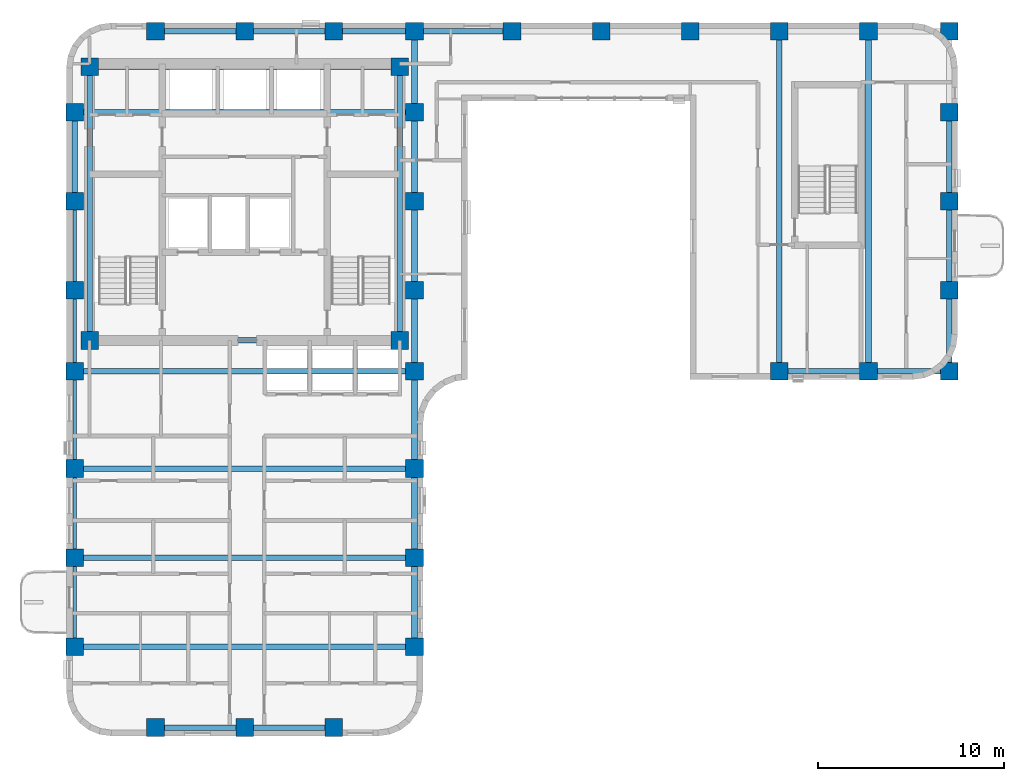
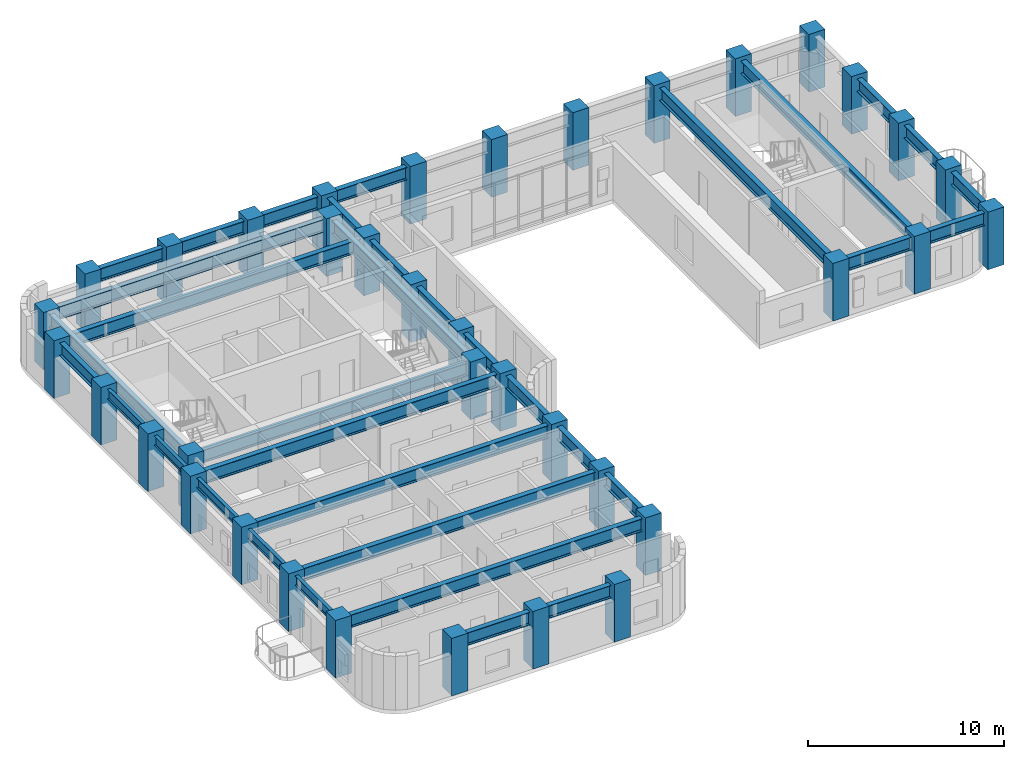
# One storey, part 1 of 11: 37 columns, 35 beams.
"""IFC4 building model written with IfcOpenShell, lengths in metres."""

from ifc_helpers import new_model, si_unit, direction, frame, origin, origin_2d, place, context, subcontext, project, spatial, rectangle, i_section, extrude, material, material_profile, profile_set, type_object, element, save


model = new_model("IFC4")

# Units and contexts
model_context = context("Model", 3, precision=1e-05, world=origin(), true_north=direction((0.0, 1.0)))
body_context = subcontext(model_context, "Body", "Model", "MODEL_VIEW")
ifc_project = project(units=[si_unit("LENGTHUNIT", "METRE"), si_unit("AREAUNIT", "SQUARE_METRE"), si_unit("VOLUMEUNIT", "CUBIC_METRE"), si_unit("PLANEANGLEUNIT", "RADIAN"), si_unit("MASSUNIT", "GRAM", prefix="KILO")], contexts=[model_context])

# Site, building, storey
site_placement = place(None, origin())
site = spatial("IfcSite", under=ifc_project, at=site_placement, CompositionType="ELEMENT")
building_placement = place(site_placement, origin())
building = spatial("IfcBuilding", under=site, at=building_placement, Name="Orvandelia Arch Residences", CompositionType="ELEMENT")
storey_placement = place(building_placement, frame((0.0, 0.0, 164.800048828125)))
storey = spatial("IfcBuildingStorey", under=building, at=storey_placement, Name="L43", CompositionType="ELEMENT", Elevation=164.800048828125)

# Columns
ifc_material_1 = material(Name="Concrete C60/75", Category="concrete")
ifc_material_profile_1 = material_profile(ifc_material_1, rectangle(XDim=0.949951171875, YDim=0.949951171875, at=origin_2d()), Name="Concrete C60/75", Category="concrete")
ifc_profile_set_1 = profile_set([ifc_material_profile_1], Name="Concrete C60/75")
column_type = type_object("IfcColumnType", Name="COL-TWR-950", PredefinedType="COLUMN", material=ifc_profile_set_1)
for number, where, z_axis, x_axis, name in (
    (1, (5.25, 14.39990234375, 0.0), (0.0, 0.0, 1.0), (1.0, 0.0, 0.0), "Structural Column L43-W-W-144"),
    (2, (5.25, 19.199951171875, 0.0), (0.0, 0.0, 1.0), (1.0, 0.0, 0.0), "Structural Column L43-W-W-192"),
    (3, (5.25, 24.0, 0.0), (0.0, 0.0, 1.0), (1.0, 0.0, 0.0), "Structural Column L43-W-W-240"),
    (4, (5.25, 29.25, 0.0), (0.0, 0.0, 1.0), (1.0, 0.0, 0.0), "Structural Column L43-W-W-292"),
    (5, (5.25, 33.60009765625, 0.0), (0.0, 0.0, 1.0), (1.0, 0.0, 0.0), "Structural Column L43-W-W-336"),
    (6, (5.25, 38.39990234375, 0.0), (0.0, 0.0, 1.0), (1.0, 0.0, 0.0), "Structural Column L43-W-W-384"),
    (7, (5.25, 43.199951171875, 0.0), (0.0, 0.0, 1.0), (1.0, 0.0, 0.0), "Structural Column L43-W-W-432"),
    (8, (6.050048828125, 30.89990234375, 0.0), (0.0, 0.0, 1.0), (1.0, 0.0, 0.0), "Structural Column L43-CR-SW"),
    (9, (6.050048828125, 45.64990234375, 0.0), (0.0, 0.0, 1.0), (1.0, 0.0, 0.0), "Structural Column L43-CR-NW"),
    (10, (9.60009765625, 10.050048828125, 0.0), (0.0, 0.0, 1.0), (1.0, 0.0, 0.0), "Structural Column L43-W-S-96"),
    (11, (9.60009765625, 47.550048828125, 0.0), (0.0, 0.0, 1.0), (1.0, 0.0, 0.0), "Structural Column L43-W-N-96"),
    (12, (14.39990234375, 10.050048828125, 0.0), (0.0, 0.0, 1.0), (1.0, 0.0, 0.0), "Structural Column L43-W-S-144"),
    (13, (14.39990234375, 47.550048828125, 0.0), (0.0, 0.0, 1.0), (1.0, 0.0, 0.0), "Structural Column L43-W-N-144"),
    (14, (19.199951171875, 10.050048828125, 0.0), (0.0, 0.0, 1.0), (1.0, 0.0, 0.0), "Structural Column L43-W-S-192"),
    (15, (19.199951171875, 47.550048828125, 0.0), (0.0, 0.0, 1.0), (1.0, 0.0, 0.0), "Structural Column L43-W-N-192"),
    (16, (22.75, 30.89990234375, 0.0), (0.0, 0.0, 1.0), (1.0, 0.0, 0.0), "Structural Column L43-CR-SE"),
    (17, (22.75, 45.64990234375, 0.0), (0.0, 0.0, 1.0), (1.0, 0.0, 0.0), "Structural Column L43-CR-NE"),
    (18, (23.550048828125, 14.39990234375, 0.0), (0.0, 0.0, 1.0), (1.0, 0.0, 0.0), "Structural Column L43-W-E-144"),
    (19, (23.550048828125, 19.199951171875, 0.0), (0.0, 0.0, 1.0), (1.0, 0.0, 0.0), "Structural Column L43-W-E-192"),
    (20, (23.550048828125, 24.0, 0.0), (0.0, 0.0, 1.0), (1.0, 0.0, 0.0), "Structural Column L43-W-E-240"),
    (21, (23.550048828125, 29.25, 0.0), (0.0, 0.0, 1.0), (1.0, 0.0, 0.0), "Structural Column L43-W-E-292"),
    (22, (23.550048828125, 33.60009765625, 0.0), (0.0, 0.0, 1.0), (1.0, 0.0, 0.0), "Structural Column L43-W-E-336"),
    (23, (23.550048828125, 38.39990234375, 0.0), (0.0, 0.0, 1.0), (1.0, 0.0, 0.0), "Structural Column L43-W-E-384"),
    (24, (23.550048828125, 43.199951171875, 0.0), (0.0, 0.0, 1.0), (1.0, 0.0, 0.0), "Structural Column L43-W-E-432"),
    (25, (23.550048828125, 47.550048828125, 0.0), (0.0, 0.0, 1.0), (1.0, 0.0, 0.0), "Structural Column L43-W-N-235"),
    (26, (28.800048828125, 47.550048828125, 0.0), (0.0, 0.0, 1.0), (1.0, 0.0, 0.0), "Structural Column L43-E-N-288"),
    (27, (33.60009765625, 47.550048828125, 0.0), (0.0, 0.0, 1.0), (1.0, 0.0, 0.0), "Structural Column L43-E-N-336"),
    (28, (38.39990234375, 47.550048828125, 0.0), (0.0, 0.0, 1.0), (1.0, 0.0, 0.0), "Structural Column L43-E-N-384"),
    (29, (43.199951171875, 29.25, 0.0), (0.0, 0.0, 1.0), (1.0, 0.0, 0.0), "Structural Column L43-E-S-432"),
    (30, (43.199951171875, 47.550048828125, 0.0), (0.0, 0.0, 1.0), (1.0, 0.0, 0.0), "Structural Column L43-E-N-432"),
    (31, (48.0, 29.25, 0.0), (0.0, 0.0, 1.0), (1.0, 0.0, 0.0), "Structural Column L43-E-S-480"),
    (32, (48.0, 47.550048828125, 0.0), (0.0, 0.0, 1.0), (1.0, 0.0, 0.0), "Structural Column L43-E-N-480"),
    (33, (52.35009765625, 29.25, 0.0), (0.0, 0.0, 1.0), (1.0, 0.0, 0.0), "Structural Column L43-E-S-523"),
    (34, (52.35009765625, 33.60009765625, 0.0), (0.0, 0.0, 1.0), (1.0, 0.0, 0.0), "Structural Column L43-E-523-336"),
    (35, (52.35009765625, 38.39990234375, 0.0), (0.0, 0.0, 1.0), (1.0, 0.0, 0.0), "Structural Column L43-E-523-384"),
    (36, (52.35009765625, 43.199951171875, 0.0), (0.0, 0.0, 1.0), (1.0, 0.0, 0.0), "Structural Column L43-E-523-432"),
    (37, (52.35009765625, 47.550048828125, 0.0), (0.0, 0.0, 1.0), (1.0, 0.0, 0.0), "Structural Column L43-E-N-523"),
):
    element("IfcColumn", number, at=place(storey_placement, frame(where, z_axis=z_axis, x_axis=x_axis)), inside=storey, type_object=column_type, Name=name, PredefinedType="COLUMN", context=body_context, shape_type="SweptSolid", body=[
        extrude(rectangle(XDim=0.949951171875, YDim=0.949951171875, at=origin_2d()), origin(), (0.0, 0.0, 1.0), 3.599853515625),
    ])

# Beams
ifc_material_2 = material(Name="Structural Steel SM355 (355 MPa)", Category="steel")
ifc_material_profile_2 = material_profile(ifc_material_2, i_section(OverallWidth=0.300048828125, OverallDepth=0.800048828125, WebThickness=0.013916015625, FlangeThickness=0.02587890625, FilletRadius=0.02587890625, at=origin_2d()), Name="Structural Steel SM355 (355 MPa)", Category="steel")
ifc_profile_set_2 = profile_set([ifc_material_profile_2], Name="Structural Steel SM355 (355 MPa)")
beam_type_1 = type_object("IfcBeamType", Name="BM-GRD-H800", PredefinedType="BEAM", material=ifc_profile_set_2)
beam_1_placement = place(storey_placement, frame((5.25, 38.39990234375, 2.9599609375), z_axis=(0.0, 1.0, 0.0), x_axis=(-1.0, 0.0, 0.0)))
element("IfcBeam", 38, at=beam_1_placement, inside=storey, type_object=beam_type_1, Name="Structural Frame Beam L43-NS-006", PredefinedType="BEAM", context=body_context, shape_type="SweptSolid", body=[
    extrude(i_section(OverallWidth=0.300048828125, OverallDepth=0.800048828125, WebThickness=0.013916015625, FlangeThickness=0.02587890625, FilletRadius=0.02587890625, at=origin_2d()), origin(), (0.0, 0.0, 1.0), 4.800048828125),
])
for number, where, z_axis, x_axis, name in (
    (39, (6.050048828125, 30.89990234375, 2.9599609375), (0.0, 1.0, 0.0), (-1.0, 0.0, 0.0), "Structural Frame Beam L43-NS-007"),
    (40, (22.75, 30.89990234375, 2.9599609375), (0.0, 1.0, 0.0), (-1.0, 0.0, 0.0), "Structural Frame Beam L43-NS-008"),
):
    element("IfcBeam", number, at=place(storey_placement, frame(where, z_axis=z_axis, x_axis=x_axis)), inside=storey, type_object=beam_type_1, Name=name, PredefinedType="BEAM", context=body_context, shape_type="SweptSolid", body=[
        extrude(i_section(OverallWidth=0.300048828125, OverallDepth=0.800048828125, WebThickness=0.013916015625, FlangeThickness=0.02587890625, FilletRadius=0.02587890625, at=origin_2d()), origin(), (0.0, 0.0, 1.0), 14.75),
    ])
for number, where, z_axis, x_axis, name in (
    (41, (23.550048828125, 14.39990234375, 2.9599609375), (0.0, 1.0, 0.0), (-1.0, 0.0, 0.0), "Structural Frame Beam L43-NS-009"),
    (42, (23.550048828125, 19.199951171875, 2.9599609375), (0.0, 1.0, 0.0), (-1.0, 0.0, 0.0), "Structural Frame Beam L43-NS-010"),
):
    element("IfcBeam", number, at=place(storey_placement, frame(where, z_axis=z_axis, x_axis=x_axis)), inside=storey, type_object=beam_type_1, Name=name, PredefinedType="BEAM", context=body_context, shape_type="SweptSolid", body=[
        extrude(i_section(OverallWidth=0.300048828125, OverallDepth=0.800048828125, WebThickness=0.013916015625, FlangeThickness=0.02587890625, FilletRadius=0.02587890625, at=origin_2d()), origin(), (0.0, 0.0, 1.0), 4.800048828125),
    ])
beam_2_placement = place(storey_placement, frame((23.550048828125, 24.0, 2.9599609375), z_axis=(0.0, 1.0, 0.0), x_axis=(-1.0, 0.0, 0.0)))
element("IfcBeam", 43, at=beam_2_placement, inside=storey, type_object=beam_type_1, Name="Structural Frame Beam L43-NS-011", PredefinedType="BEAM", context=body_context, shape_type="SweptSolid", body=[
    extrude(i_section(OverallWidth=0.300048828125, OverallDepth=0.800048828125, WebThickness=0.013916015625, FlangeThickness=0.02587890625, FilletRadius=0.02587890625, at=origin_2d()), origin(), (0.0, 0.0, 1.0), 5.25),
])
beam_3_placement = place(storey_placement, frame((23.550048828125, 29.25, 2.9599609375), z_axis=(0.0, 1.0, 0.0), x_axis=(-1.0, 0.0, 0.0)))
element("IfcBeam", 44, at=beam_3_placement, inside=storey, type_object=beam_type_1, Name="Structural Frame Beam L43-NS-012", PredefinedType="BEAM", context=body_context, shape_type="SweptSolid", body=[
    extrude(i_section(OverallWidth=0.300048828125, OverallDepth=0.800048828125, WebThickness=0.013916015625, FlangeThickness=0.02587890625, FilletRadius=0.02587890625, at=origin_2d()), origin(), (0.0, 0.0, 1.0), 4.35009765625),
])
beam_4_placement = place(storey_placement, frame((23.550048828125, 33.60009765625, 2.9599609375), z_axis=(0.0, 1.0, 0.0), x_axis=(-1.0, 0.0, 0.0)))
element("IfcBeam", 45, at=beam_4_placement, inside=storey, type_object=beam_type_1, Name="Structural Frame Beam L43-NS-013", PredefinedType="BEAM", context=body_context, shape_type="SweptSolid", body=[
    extrude(i_section(OverallWidth=0.300048828125, OverallDepth=0.800048828125, WebThickness=0.013916015625, FlangeThickness=0.02587890625, FilletRadius=0.02587890625, at=origin_2d()), origin(), (0.0, 0.0, 1.0), 4.7998046875),
])
beam_5_placement = place(storey_placement, frame((23.550048828125, 38.39990234375, 2.9599609375), z_axis=(0.0, 1.0, 0.0), x_axis=(-1.0, 0.0, 0.0)))
element("IfcBeam", 46, at=beam_5_placement, inside=storey, type_object=beam_type_1, Name="Structural Frame Beam L43-NS-014", PredefinedType="BEAM", context=body_context, shape_type="SweptSolid", body=[
    extrude(i_section(OverallWidth=0.300048828125, OverallDepth=0.800048828125, WebThickness=0.013916015625, FlangeThickness=0.02587890625, FilletRadius=0.02587890625, at=origin_2d()), origin(), (0.0, 0.0, 1.0), 4.800048828125),
])
beam_6_placement = place(storey_placement, frame((23.550048828125, 43.199951171875, 2.9599609375), z_axis=(0.0, 1.0, 0.0), x_axis=(-1.0, 0.0, 0.0)))
element("IfcBeam", 47, at=beam_6_placement, inside=storey, type_object=beam_type_1, Name="Structural Frame Beam L43-NS-015", PredefinedType="BEAM", context=body_context, shape_type="SweptSolid", body=[
    extrude(i_section(OverallWidth=0.300048828125, OverallDepth=0.800048828125, WebThickness=0.013916015625, FlangeThickness=0.02587890625, FilletRadius=0.02587890625, at=origin_2d()), origin(), (0.0, 0.0, 1.0), 4.35009765625),
])
for number, where, z_axis, x_axis, name in (
    (48, (43.199951171875, 29.25, 2.9599609375), (0.0, 1.0, 0.0), (-1.0, 0.0, 0.0), "Structural Frame Beam L43-NS-016"),
    (49, (48.0, 29.25, 2.9599609375), (0.0, 1.0, 0.0), (-1.0, 0.0, 0.0), "Structural Frame Beam L43-NS-017"),
):
    element("IfcBeam", number, at=place(storey_placement, frame(where, z_axis=z_axis, x_axis=x_axis)), inside=storey, type_object=beam_type_1, Name=name, PredefinedType="BEAM", context=body_context, shape_type="SweptSolid", body=[
        extrude(i_section(OverallWidth=0.300048828125, OverallDepth=0.800048828125, WebThickness=0.013916015625, FlangeThickness=0.02587890625, FilletRadius=0.02587890625, at=origin_2d()), origin(), (0.0, 0.0, 1.0), 18.300048828125),
    ])
beam_7_placement = place(storey_placement, frame((52.35009765625, 29.25, 2.9599609375), z_axis=(0.0, 1.0, 0.0), x_axis=(-1.0, 0.0, 0.0)))
element("IfcBeam", 50, at=beam_7_placement, inside=storey, type_object=beam_type_1, Name="Structural Frame Beam L43-NS-018", PredefinedType="BEAM", context=body_context, shape_type="SweptSolid", body=[
    extrude(i_section(OverallWidth=0.300048828125, OverallDepth=0.800048828125, WebThickness=0.013916015625, FlangeThickness=0.02587890625, FilletRadius=0.02587890625, at=origin_2d()), origin(), (0.0, 0.0, 1.0), 4.35009765625),
])
beam_8_placement = place(storey_placement, frame((52.35009765625, 33.60009765625, 2.9599609375), z_axis=(0.0, 1.0, 0.0), x_axis=(-1.0, 0.0, 0.0)))
element("IfcBeam", 51, at=beam_8_placement, inside=storey, type_object=beam_type_1, Name="Structural Frame Beam L43-NS-019", PredefinedType="BEAM", context=body_context, shape_type="SweptSolid", body=[
    extrude(i_section(OverallWidth=0.300048828125, OverallDepth=0.800048828125, WebThickness=0.013916015625, FlangeThickness=0.02587890625, FilletRadius=0.02587890625, at=origin_2d()), origin(), (0.0, 0.0, 1.0), 4.7998046875),
])
beam_9_placement = place(storey_placement, frame((52.35009765625, 38.39990234375, 2.9599609375), z_axis=(0.0, 1.0, 0.0), x_axis=(-1.0, 0.0, 0.0)))
element("IfcBeam", 52, at=beam_9_placement, inside=storey, type_object=beam_type_1, Name="Structural Frame Beam L43-NS-020", PredefinedType="BEAM", context=body_context, shape_type="SweptSolid", body=[
    extrude(i_section(OverallWidth=0.300048828125, OverallDepth=0.800048828125, WebThickness=0.013916015625, FlangeThickness=0.02587890625, FilletRadius=0.02587890625, at=origin_2d()), origin(), (0.0, 0.0, 1.0), 4.800048828125),
])
beam_10_placement = place(storey_placement, frame((9.60009765625, 10.050048828125, 2.9599609375), z_axis=(1.0, 0.0, 0.0), x_axis=(0.0, 1.0, 0.0)))
element("IfcBeam", 53, at=beam_10_placement, inside=storey, type_object=beam_type_1, Name="Structural Frame Girder L43-EW-022", PredefinedType="BEAM", context=body_context, shape_type="SweptSolid", body=[
    extrude(i_section(OverallWidth=0.300048828125, OverallDepth=0.800048828125, WebThickness=0.013916015625, FlangeThickness=0.02587890625, FilletRadius=0.02587890625, at=origin_2d()), origin(), (0.0, 0.0, 1.0), 4.7998046875),
])
beam_11_placement = place(storey_placement, frame((14.39990234375, 10.050048828125, 2.9599609375), z_axis=(1.0, 0.0, 0.0), x_axis=(0.0, 1.0, 0.0)))
element("IfcBeam", 54, at=beam_11_placement, inside=storey, type_object=beam_type_1, Name="Structural Frame Girder L43-EW-023", PredefinedType="BEAM", context=body_context, shape_type="SweptSolid", body=[
    extrude(i_section(OverallWidth=0.300048828125, OverallDepth=0.800048828125, WebThickness=0.013916015625, FlangeThickness=0.02587890625, FilletRadius=0.02587890625, at=origin_2d()), origin(), (0.0, 0.0, 1.0), 4.800048828125),
])
for number, where, z_axis, x_axis, name in (
    (55, (5.25, 14.39990234375, 2.9599609375), (1.0, 0.0, 0.0), (0.0, 1.0, 0.0), "Structural Frame Girder L43-EW-024"),
    (56, (5.25, 19.199951171875, 2.9599609375), (1.0, 0.0, 0.0), (0.0, 1.0, 0.0), "Structural Frame Girder L43-EW-025"),
    (57, (5.25, 24.0, 2.9599609375), (1.0, 0.0, 0.0), (0.0, 1.0, 0.0), "Structural Frame Girder L43-EW-026"),
    (58, (5.25, 29.25, 2.9599609375), (1.0, 0.0, 0.0), (0.0, 1.0, 0.0), "Structural Frame Girder L43-EW-027"),
):
    element("IfcBeam", number, at=place(storey_placement, frame(where, z_axis=z_axis, x_axis=x_axis)), inside=storey, type_object=beam_type_1, Name=name, PredefinedType="BEAM", context=body_context, shape_type="SweptSolid", body=[
        extrude(i_section(OverallWidth=0.300048828125, OverallDepth=0.800048828125, WebThickness=0.013916015625, FlangeThickness=0.02587890625, FilletRadius=0.02587890625, at=origin_2d()), origin(), (0.0, 0.0, 1.0), 18.300048828125),
    ])
beam_12_placement = place(storey_placement, frame((43.199951171875, 29.25, 2.9599609375), z_axis=(1.0, 0.0, 0.0), x_axis=(0.0, 1.0, 0.0)))
element("IfcBeam", 59, at=beam_12_placement, inside=storey, type_object=beam_type_1, Name="Structural Frame Girder L43-EW-028", PredefinedType="BEAM", context=body_context, shape_type="SweptSolid", body=[
    extrude(i_section(OverallWidth=0.300048828125, OverallDepth=0.800048828125, WebThickness=0.013916015625, FlangeThickness=0.02587890625, FilletRadius=0.02587890625, at=origin_2d()), origin(), (0.0, 0.0, 1.0), 4.800048828125),
])
beam_13_placement = place(storey_placement, frame((48.0, 29.25, 2.9599609375), z_axis=(1.0, 0.0, 0.0), x_axis=(0.0, 1.0, 0.0)))
element("IfcBeam", 60, at=beam_13_placement, inside=storey, type_object=beam_type_1, Name="Structural Frame Girder L43-EW-029", PredefinedType="BEAM", context=body_context, shape_type="SweptSolid", body=[
    extrude(i_section(OverallWidth=0.300048828125, OverallDepth=0.800048828125, WebThickness=0.013916015625, FlangeThickness=0.02587890625, FilletRadius=0.02587890625, at=origin_2d()), origin(), (0.0, 0.0, 1.0), 4.35009765625),
])
beam_14_placement = place(storey_placement, frame((6.050048828125, 30.89990234375, 2.9599609375), z_axis=(1.0, 0.0, 0.0), x_axis=(0.0, 1.0, 0.0)))
element("IfcBeam", 61, at=beam_14_placement, inside=storey, type_object=beam_type_1, Name="Structural Frame Girder L43-EW-030", PredefinedType="BEAM", context=body_context, shape_type="SweptSolid", body=[
    extrude(i_section(OverallWidth=0.300048828125, OverallDepth=0.800048828125, WebThickness=0.013916015625, FlangeThickness=0.02587890625, FilletRadius=0.02587890625, at=origin_2d()), origin(), (0.0, 0.0, 1.0), 16.699951171875),
])
beam_15_placement = place(storey_placement, frame((5.25, 43.199951171875, 2.9599609375), z_axis=(1.0, 0.0, 0.0), x_axis=(0.0, 1.0, 0.0)))
element("IfcBeam", 62, at=beam_15_placement, inside=storey, type_object=beam_type_1, Name="Structural Frame Girder L43-EW-033", PredefinedType="BEAM", context=body_context, shape_type="SweptSolid", body=[
    extrude(i_section(OverallWidth=0.300048828125, OverallDepth=0.800048828125, WebThickness=0.013916015625, FlangeThickness=0.02587890625, FilletRadius=0.02587890625, at=origin_2d()), origin(), (0.0, 0.0, 1.0), 18.300048828125),
])
beam_16_placement = place(storey_placement, frame((6.050048828125, 45.64990234375, 2.9599609375), z_axis=(1.0, 0.0, 0.0), x_axis=(0.0, 1.0, 0.0)))
element("IfcBeam", 63, at=beam_16_placement, inside=storey, type_object=beam_type_1, Name="Structural Frame Girder L43-EW-034", PredefinedType="BEAM", context=body_context, shape_type="SweptSolid", body=[
    extrude(i_section(OverallWidth=0.300048828125, OverallDepth=0.800048828125, WebThickness=0.013916015625, FlangeThickness=0.02587890625, FilletRadius=0.02587890625, at=origin_2d()), origin(), (0.0, 0.0, 1.0), 16.699951171875),
])
beam_17_placement = place(storey_placement, frame((9.60009765625, 47.550048828125, 2.9599609375), z_axis=(1.0, 0.0, 0.0), x_axis=(0.0, 1.0, 0.0)))
element("IfcBeam", 64, at=beam_17_placement, inside=storey, type_object=beam_type_1, Name="Structural Frame Girder L43-EW-035", PredefinedType="BEAM", context=body_context, shape_type="SweptSolid", body=[
    extrude(i_section(OverallWidth=0.300048828125, OverallDepth=0.800048828125, WebThickness=0.013916015625, FlangeThickness=0.02587890625, FilletRadius=0.02587890625, at=origin_2d()), origin(), (0.0, 0.0, 1.0), 4.7998046875),
])
beam_18_placement = place(storey_placement, frame((14.39990234375, 47.550048828125, 2.9599609375), z_axis=(1.0, 0.0, 0.0), x_axis=(0.0, 1.0, 0.0)))
element("IfcBeam", 65, at=beam_18_placement, inside=storey, type_object=beam_type_1, Name="Structural Frame Girder L43-EW-036", PredefinedType="BEAM", context=body_context, shape_type="SweptSolid", body=[
    extrude(i_section(OverallWidth=0.300048828125, OverallDepth=0.800048828125, WebThickness=0.013916015625, FlangeThickness=0.02587890625, FilletRadius=0.02587890625, at=origin_2d()), origin(), (0.0, 0.0, 1.0), 4.800048828125),
])
beam_19_placement = place(storey_placement, frame((19.199951171875, 47.550048828125, 2.9599609375), z_axis=(1.0, 0.0, 0.0), x_axis=(0.0, 1.0, 0.0)))
element("IfcBeam", 66, at=beam_19_placement, inside=storey, type_object=beam_type_1, Name="Structural Frame Girder L43-EW-037", PredefinedType="BEAM", context=body_context, shape_type="SweptSolid", body=[
    extrude(i_section(OverallWidth=0.300048828125, OverallDepth=0.800048828125, WebThickness=0.013916015625, FlangeThickness=0.02587890625, FilletRadius=0.02587890625, at=origin_2d()), origin(), (0.0, 0.0, 1.0), 4.35009765625),
])
beam_20_placement = place(storey_placement, frame((23.550048828125, 47.550048828125, 2.9599609375), z_axis=(1.0, 0.0, 0.0), x_axis=(0.0, 1.0, 0.0)))
element("IfcBeam", 67, at=beam_20_placement, inside=storey, type_object=beam_type_1, Name="Structural Frame Girder L43-EW-038", PredefinedType="BEAM", context=body_context, shape_type="SweptSolid", body=[
    extrude(i_section(OverallWidth=0.300048828125, OverallDepth=0.800048828125, WebThickness=0.013916015625, FlangeThickness=0.02587890625, FilletRadius=0.02587890625, at=origin_2d()), origin(), (0.0, 0.0, 1.0), 5.25),
])
ifc_material_profile_3 = material_profile(ifc_material_2, i_section(OverallWidth=0.199951171875, OverallDepth=0.60009765625, WebThickness=0.010986328125, FlangeThickness=0.01708984375, FilletRadius=0.02197265625, at=origin_2d()), Name="Structural Steel SM355 (355 MPa)", Category="steel")
ifc_profile_set_3 = profile_set([ifc_material_profile_3], Name="Structural Steel SM355 (355 MPa)")
beam_type_2 = type_object("IfcBeamType", Name="BM-SPN-H600", PredefinedType="SPANDREL", material=ifc_profile_set_3)
for number, where, z_axis, x_axis, name in (
    (68, (5.25, 14.39990234375, 3.06005859375), (0.0, 1.0, 0.0), (-1.0, 0.0, 0.0), "Structural Frame Beam L43-NS-001"),
    (69, (5.25, 19.199951171875, 3.06005859375), (0.0, 1.0, 0.0), (-1.0, 0.0, 0.0), "Structural Frame Beam L43-NS-002"),
):
    element("IfcBeam", number, at=place(storey_placement, frame(where, z_axis=z_axis, x_axis=x_axis)), inside=storey, type_object=beam_type_2, Name=name, PredefinedType="SPANDREL", context=body_context, shape_type="SweptSolid", body=[
        extrude(i_section(OverallWidth=0.199951171875, OverallDepth=0.60009765625, WebThickness=0.010986328125, FlangeThickness=0.01708984375, FilletRadius=0.02197265625, at=origin_2d()), origin(), (0.0, 0.0, 1.0), 4.800048828125),
    ])
beam_21_placement = place(storey_placement, frame((5.25, 24.0, 3.06005859375), z_axis=(0.0, 1.0, 0.0), x_axis=(-1.0, 0.0, 0.0)))
element("IfcBeam", 70, at=beam_21_placement, inside=storey, type_object=beam_type_2, Name="Structural Frame Beam L43-NS-003", PredefinedType="SPANDREL", context=body_context, shape_type="SweptSolid", body=[
    extrude(i_section(OverallWidth=0.199951171875, OverallDepth=0.60009765625, WebThickness=0.010986328125, FlangeThickness=0.01708984375, FilletRadius=0.02197265625, at=origin_2d()), origin(), (0.0, 0.0, 1.0), 5.25),
])
beam_22_placement = place(storey_placement, frame((5.25, 29.25, 3.06005859375), z_axis=(0.0, 1.0, 0.0), x_axis=(-1.0, 0.0, 0.0)))
element("IfcBeam", 71, at=beam_22_placement, inside=storey, type_object=beam_type_2, Name="Structural Frame Beam L43-NS-004", PredefinedType="SPANDREL", context=body_context, shape_type="SweptSolid", body=[
    extrude(i_section(OverallWidth=0.199951171875, OverallDepth=0.60009765625, WebThickness=0.010986328125, FlangeThickness=0.01708984375, FilletRadius=0.02197265625, at=origin_2d()), origin(), (0.0, 0.0, 1.0), 4.35009765625),
])
beam_23_placement = place(storey_placement, frame((5.25, 33.60009765625, 3.06005859375), z_axis=(0.0, 1.0, 0.0), x_axis=(-1.0, 0.0, 0.0)))
element("IfcBeam", 72, at=beam_23_placement, inside=storey, type_object=beam_type_2, Name="Structural Frame Beam L43-NS-005", PredefinedType="SPANDREL", context=body_context, shape_type="SweptSolid", body=[
    extrude(i_section(OverallWidth=0.199951171875, OverallDepth=0.60009765625, WebThickness=0.010986328125, FlangeThickness=0.01708984375, FilletRadius=0.02197265625, at=origin_2d()), origin(), (0.0, 0.0, 1.0), 4.7998046875),
])

save(model, "model.ifc")
